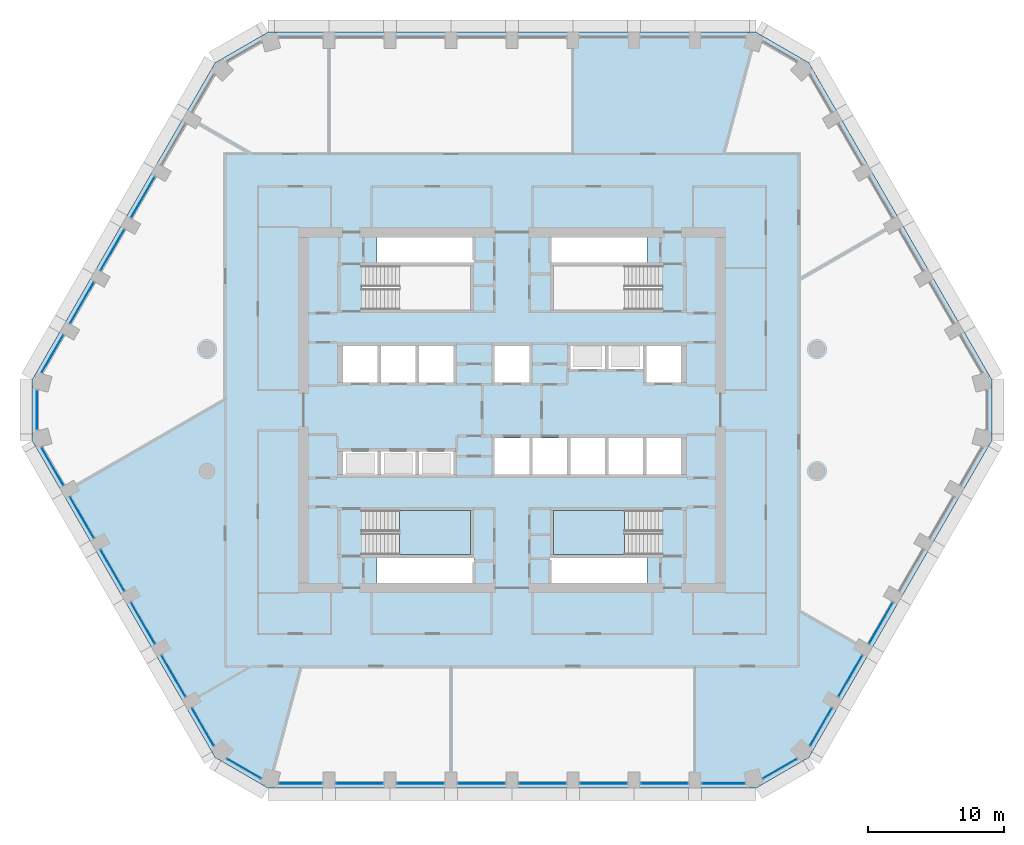
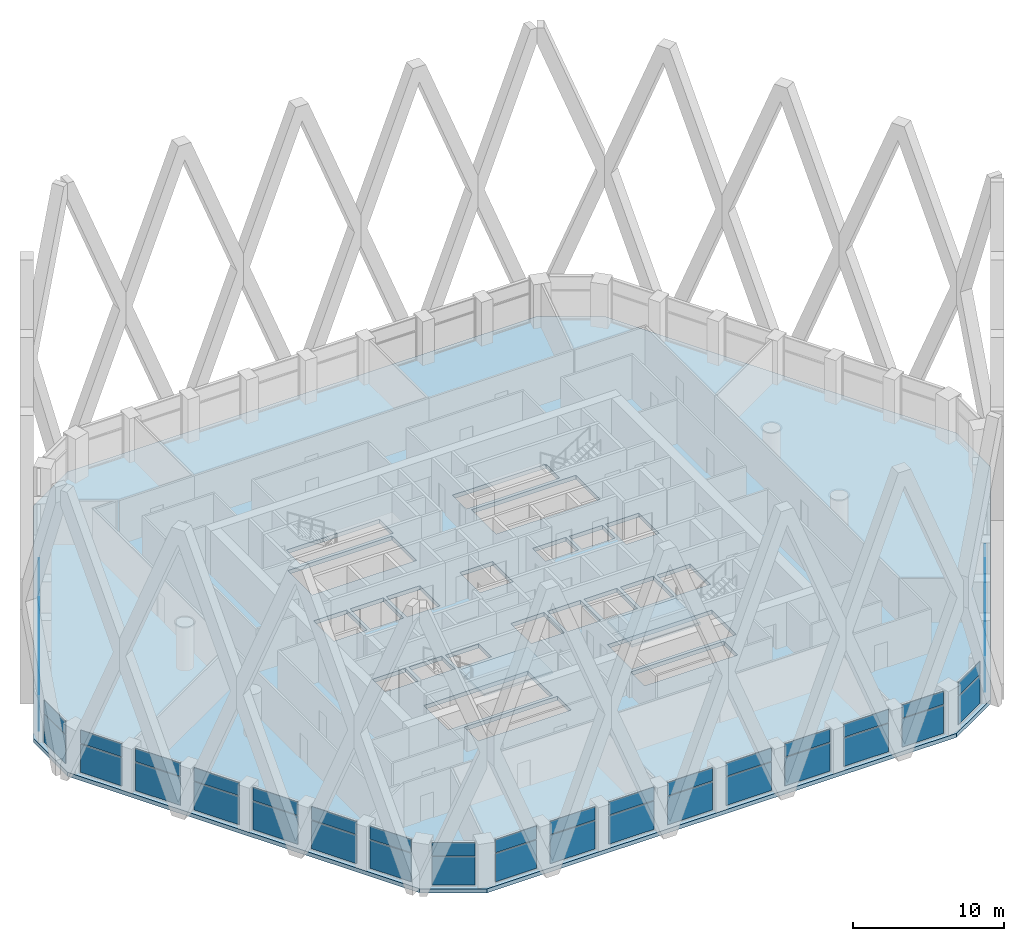
# One storey, part 7 of 24: 47 plates, 3 slabs, 26 elements without a shape of their own.
"""IFC4 building model written with IfcOpenShell, lengths in metres."""

from ifc_helpers import new_model, si_unit, direction, frame, origin, origin_2d, place, context, subcontext, project, spatial, polyline, rectangle, outline, extrude, material, layer, layer_set, type_object, element, aggregate, save


model = new_model("IFC4")

# Units and contexts
model_context = context("Model", 3, precision=1e-05, world=origin(), true_north=direction((0.0, 1.0)))
body_context = subcontext(model_context, "Body", "Model", "MODEL_VIEW")
ifc_project = project(units=[si_unit("LENGTHUNIT", "METRE"), si_unit("AREAUNIT", "SQUARE_METRE"), si_unit("VOLUMEUNIT", "CUBIC_METRE"), si_unit("PLANEANGLEUNIT", "RADIAN"), si_unit("MASSUNIT", "GRAM", prefix="KILO")], contexts=[model_context])

# Site, building, storey
site_placement = place(None, origin())
site = spatial("IfcSite", under=ifc_project, at=site_placement, CompositionType="ELEMENT")
building_placement = place(site_placement, origin())
building = spatial("IfcBuilding", under=site, at=building_placement, Name="Dhurran Vertical Campus", CompositionType="ELEMENT")
storey_placement = place(building_placement, frame((0.0, 0.0, 132.60009765625)))
storey = spatial("IfcBuildingStorey", under=building, at=storey_placement, Name="L32", CompositionType="ELEMENT", Elevation=132.60009765625)

# Slab
ifc_material_1 = material(Name="Concrete C40/50", Category="concrete")
ifc_layer_1 = layer(ifc_material_1, 0.324951171875)
ifc_layer_set_1 = layer_set([ifc_layer_1], Name="Concrete C40/50")
slab_type_1 = type_object("IfcSlabType", Name="FR POST-TENSIONED FLAT SLAB 325", PredefinedType="FLOOR", material=ifc_layer_set_1)
slab_1_placement = place(storey_placement, frame((0.0, 0.0, -0.3251953125)))
element("IfcSlab", 1, at=slab_1_placement, inside=storey, type_object=slab_type_1, Name="Floor slab L32", PredefinedType="FLOOR", context=body_context, shape_type="SweptSolid", body=[
    extrude(outline(polyline([(-18.0, -27.8828125), (18.0, -27.8828125), (21.897216796875, -25.6328125), (35.397216796875, -2.25), (35.397216796875, 2.25), (21.897216796875, 25.6328125), (18.0, 27.8828125), (-18.0, 27.8828125), (-21.897216796875, 25.6328125), (-35.397216796875, 2.25), (-35.397216796875, -2.25), (-21.897216796875, -25.6328125), (-18.0, -27.8828125)]), holes=[polyline([(-12.47509765625, 2.050048828125), (-9.925048828125, 2.050048828125), (-9.925048828125, 4.75), (-12.47509765625, 4.75), (-12.47509765625, 2.050048828125)]), polyline([(-9.675048828125, 2.050048828125), (-7.125, 2.050048828125), (-7.125, 4.75), (-9.675048828125, 4.75), (-9.675048828125, 2.050048828125)]), polyline([(-6.875, 2.050048828125), (-4.324951171875, 2.050048828125), (-4.324951171875, 4.75), (-6.875, 4.75), (-6.875, 2.050048828125)]), polyline([(-1.27490234375, 2.050048828125), (1.27490234375, 2.050048828125), (1.27490234375, 4.75), (-1.27490234375, 4.75), (-1.27490234375, 2.050048828125)]), polyline([(9.925048828125, 2.050048828125), (12.47509765625, 2.050048828125), (12.47509765625, 4.75), (9.925048828125, 4.75), (9.925048828125, 2.050048828125)]), polyline([(-1.27490234375, -4.75), (1.27490234375, -4.75), (1.27490234375, -2.050048828125), (-1.27490234375, -2.050048828125), (-1.27490234375, -4.75)]), polyline([(1.52490234375, -4.75), (4.074951171875, -4.75), (4.074951171875, -2.050048828125), (1.52490234375, -2.050048828125), (1.52490234375, -4.75)]), polyline([(4.324951171875, -4.75), (6.875, -4.75), (6.875, -2.050048828125), (4.324951171875, -2.050048828125), (4.324951171875, -4.75)]), polyline([(7.125, -4.75), (9.675048828125, -4.75), (9.675048828125, -2.050048828125), (7.125, -2.050048828125), (7.125, -4.75)]), polyline([(9.925048828125, -4.75), (12.47509765625, -4.75), (12.47509765625, -2.050048828125), (9.925048828125, -2.050048828125), (9.925048828125, -4.75)]), polyline([(4.324951171875, 3.050048828125), (6.875, 3.050048828125), (6.875, 4.75), (4.324951171875, 4.75), (4.324951171875, 3.050048828125)]), polyline([(7.125, 3.050048828125), (9.675048828125, 3.050048828125), (9.675048828125, 4.75), (7.125, 4.75), (7.125, 3.050048828125)]), polyline([(-12.47509765625, -4.75), (-9.925048828125, -4.75), (-9.925048828125, -3.050048828125), (-12.47509765625, -3.050048828125), (-12.47509765625, -4.75)]), polyline([(-9.675048828125, -4.75), (-7.125, -4.75), (-7.125, -3.050048828125), (-9.675048828125, -3.050048828125), (-9.675048828125, -4.75)]), polyline([(-6.875, -4.75), (-4.324951171875, -4.75), (-4.324951171875, -3.050048828125), (-6.875, -3.050048828125), (-6.875, -4.75)]), polyline([(-11.050048828125, 7.39990234375), (-3.050048828125, 7.39990234375), (-3.050048828125, 10.64990234375), (-11.050048828125, 10.64990234375), (-11.050048828125, 7.39990234375)]), polyline([(3.050048828125, 7.39990234375), (11.050048828125, 7.39990234375), (11.050048828125, 10.64990234375), (3.050048828125, 10.64990234375), (3.050048828125, 7.39990234375)]), polyline([(-11.050048828125, -10.64990234375), (-3.050048828125, -10.64990234375), (-3.050048828125, -7.39990234375), (-11.050048828125, -7.39990234375), (-11.050048828125, -10.64990234375)]), polyline([(3.050048828125, -10.64990234375), (11.050048828125, -10.64990234375), (11.050048828125, -7.39990234375), (3.050048828125, -7.39990234375), (3.050048828125, -10.64990234375)]), polyline([(-9.949951171875, 10.89990234375), (-9.949951171875, 12.75), (-2.800048828125, 12.75), (-2.800048828125, 10.89990234375), (-9.949951171875, 10.89990234375)]), polyline([(9.949951171875, 12.75), (9.949951171875, 10.89990234375), (2.800048828125, 10.89990234375), (2.800048828125, 12.75), (9.949951171875, 12.75)]), polyline([(-9.949951171875, -12.75), (-9.949951171875, -10.89990234375), (-2.800048828125, -10.89990234375), (-2.800048828125, -12.75), (-9.949951171875, -12.75)]), polyline([(9.949951171875, -10.89990234375), (9.949951171875, -12.75), (2.800048828125, -12.75), (2.800048828125, -10.89990234375), (9.949951171875, -10.89990234375)])]), origin(), (0.0, 0.0, 1.0), 0.3251953125),
])

# Curtain wall, plates
ifc_material_2 = material(Name="Aluminium frame with solar-control glass", Category="aluminium")
ifc_layer_2 = layer(ifc_material_2, 0.25)
ifc_layer_set_2 = layer_set([ifc_layer_2], Name="Aluminium frame with solar-control glass")
curtain_wall_type = type_object("IfcCurtainWallType", Name="Sky lobby glazing system", PredefinedType="NOTDEFINED", material=ifc_layer_set_2)
curtain_wall_1_placement = place(storey_placement, origin())
curtain_wall_1 = element("IfcCurtainWall", 2, at=curtain_wall_1_placement, inside=storey, type_object=curtain_wall_type, Name="CW3 L32.00", PredefinedType="NOTDEFINED")
ifc_material_3 = material(Name="Clear solar-control glass", Category="glass")
ifc_layer_3 = layer(ifc_material_3, 0.028076171875)
ifc_layer_set_3 = layer_set([ifc_layer_3], Name="Clear solar-control glass")
plate_type = type_object("IfcPlateType", Name="Sky lobby glazing system panel", PredefinedType="CURTAIN_PANEL", material=ifc_layer_set_3)
plate_1_placement = place(storey_placement, frame((-15.59765625, -27.53271484375, 0.06982421875), z_axis=(0.0, 0.0, 1.0), x_axis=(1.0, 0.0, 0.0)))
plate_1 = element("IfcPlate", 3, at=plate_1_placement, type_object=plate_type, Name="CW3 panel 1.1", PredefinedType="CURTAIN_PANEL", context=body_context, shape_type="SweptSolid", body=[
    extrude(rectangle(XDim=3.154052734375, YDim=0.028076171875, at=origin_2d()), origin(), (0.0, 0.0, 1.0), 2.294921875),
])
plate_2_placement = place(storey_placement, frame((-15.59765625, -27.53271484375, 2.43505859375), z_axis=(0.0, 0.0, 1.0), x_axis=(1.0, 0.0, 0.0)))
plate_2 = element("IfcPlate", 4, at=plate_2_placement, type_object=plate_type, Name="CW3 panel 1.2", PredefinedType="CURTAIN_PANEL", context=body_context, shape_type="SweptSolid", body=[
    extrude(rectangle(XDim=3.154052734375, YDim=0.028076171875, at=origin_2d()), origin(), (0.0, 0.0, 1.0), 1.070068359375),
])
aggregate(curtain_wall_1, [plate_1, plate_2])

curtain_wall_2_placement = place(storey_placement, origin())
curtain_wall_2 = element("IfcCurtainWall", 5, at=curtain_wall_2_placement, inside=storey, type_object=curtain_wall_type, Name="CW3 L32.01", PredefinedType="NOTDEFINED")
plate_3_placement = place(storey_placement, frame((-11.25, -27.53271484375, 0.06982421875), z_axis=(0.0, 0.0, 1.0), x_axis=(1.0, 0.0, 0.0)))
plate_3 = element("IfcPlate", 6, at=plate_3_placement, type_object=plate_type, Name="CW3 panel 1.1", PredefinedType="CURTAIN_PANEL", context=body_context, shape_type="SweptSolid", body=[
    extrude(rectangle(XDim=3.458984375, YDim=0.028076171875, at=origin_2d()), origin(), (0.0, 0.0, 1.0), 2.294921875),
])
plate_4_placement = place(storey_placement, frame((-11.25, -27.53271484375, 2.43505859375), z_axis=(0.0, 0.0, 1.0), x_axis=(1.0, 0.0, 0.0)))
plate_4 = element("IfcPlate", 7, at=plate_4_placement, type_object=plate_type, Name="CW3 panel 1.2", PredefinedType="CURTAIN_PANEL", context=body_context, shape_type="SweptSolid", body=[
    extrude(rectangle(XDim=3.458984375, YDim=0.028076171875, at=origin_2d()), origin(), (0.0, 0.0, 1.0), 1.070068359375),
])
aggregate(curtain_wall_2, [plate_3, plate_4])

curtain_wall_3_placement = place(storey_placement, origin())
curtain_wall_3 = element("IfcCurtainWall", 8, at=curtain_wall_3_placement, inside=storey, type_object=curtain_wall_type, Name="CW3 L32.02", PredefinedType="NOTDEFINED")
plate_5_placement = place(storey_placement, frame((-6.75, -27.53271484375, 0.06982421875), z_axis=(0.0, 0.0, 1.0), x_axis=(1.0, 0.0, 0.0)))
plate_5 = element("IfcPlate", 9, at=plate_5_placement, type_object=plate_type, Name="CW3 panel 1.1", PredefinedType="CURTAIN_PANEL", context=body_context, shape_type="SweptSolid", body=[
    extrude(rectangle(XDim=3.458984375, YDim=0.028076171875, at=origin_2d()), origin(), (0.0, 0.0, 1.0), 2.294921875),
])
plate_6_placement = place(storey_placement, frame((-6.75, -27.53271484375, 2.43505859375), z_axis=(0.0, 0.0, 1.0), x_axis=(1.0, 0.0, 0.0)))
plate_6 = element("IfcPlate", 10, at=plate_6_placement, type_object=plate_type, Name="CW3 panel 1.2", PredefinedType="CURTAIN_PANEL", context=body_context, shape_type="SweptSolid", body=[
    extrude(rectangle(XDim=3.458984375, YDim=0.028076171875, at=origin_2d()), origin(), (0.0, 0.0, 1.0), 1.070068359375),
])
aggregate(curtain_wall_3, [plate_5, plate_6])

curtain_wall_4_placement = place(storey_placement, origin())
curtain_wall_4 = element("IfcCurtainWall", 11, at=curtain_wall_4_placement, inside=storey, type_object=curtain_wall_type, Name="CW3 L32.03", PredefinedType="NOTDEFINED")
plate_7_placement = place(storey_placement, frame((-2.25, -27.53271484375, 0.06982421875), z_axis=(0.0, 0.0, 1.0), x_axis=(1.0, 0.0, 0.0)))
plate_7 = element("IfcPlate", 12, at=plate_7_placement, type_object=plate_type, Name="CW3 panel 1.1", PredefinedType="CURTAIN_PANEL", context=body_context, shape_type="SweptSolid", body=[
    extrude(rectangle(XDim=3.458984375, YDim=0.028076171875, at=origin_2d()), origin(), (0.0, 0.0, 1.0), 2.294921875),
])
plate_8_placement = place(storey_placement, frame((-2.25, -27.53271484375, 2.43505859375), z_axis=(0.0, 0.0, 1.0), x_axis=(1.0, 0.0, 0.0)))
plate_8 = element("IfcPlate", 13, at=plate_8_placement, type_object=plate_type, Name="CW3 panel 1.2", PredefinedType="CURTAIN_PANEL", context=body_context, shape_type="SweptSolid", body=[
    extrude(rectangle(XDim=3.458984375, YDim=0.028076171875, at=origin_2d()), origin(), (0.0, 0.0, 1.0), 1.070068359375),
])
aggregate(curtain_wall_4, [plate_7, plate_8])

curtain_wall_5_placement = place(storey_placement, origin())
curtain_wall_5 = element("IfcCurtainWall", 14, at=curtain_wall_5_placement, inside=storey, type_object=curtain_wall_type, Name="CW3 L32.04", PredefinedType="NOTDEFINED")
plate_9_placement = place(storey_placement, frame((2.25, -27.53271484375, 0.06982421875), z_axis=(0.0, 0.0, 1.0), x_axis=(1.0, 0.0, 0.0)))
plate_9 = element("IfcPlate", 15, at=plate_9_placement, type_object=plate_type, Name="CW3 panel 1.1", PredefinedType="CURTAIN_PANEL", context=body_context, shape_type="SweptSolid", body=[
    extrude(rectangle(XDim=3.458984375, YDim=0.028076171875, at=origin_2d()), origin(), (0.0, 0.0, 1.0), 2.294921875),
])
plate_10_placement = place(storey_placement, frame((2.25, -27.53271484375, 2.43505859375), z_axis=(0.0, 0.0, 1.0), x_axis=(1.0, 0.0, 0.0)))
plate_10 = element("IfcPlate", 16, at=plate_10_placement, type_object=plate_type, Name="CW3 panel 1.2", PredefinedType="CURTAIN_PANEL", context=body_context, shape_type="SweptSolid", body=[
    extrude(rectangle(XDim=3.458984375, YDim=0.028076171875, at=origin_2d()), origin(), (0.0, 0.0, 1.0), 1.070068359375),
])
aggregate(curtain_wall_5, [plate_9, plate_10])

curtain_wall_6_placement = place(storey_placement, origin())
curtain_wall_6 = element("IfcCurtainWall", 17, at=curtain_wall_6_placement, inside=storey, type_object=curtain_wall_type, Name="CW3 L32.05", PredefinedType="NOTDEFINED")
plate_11_placement = place(storey_placement, frame((6.75, -27.53271484375, 0.06982421875), z_axis=(0.0, 0.0, 1.0), x_axis=(1.0, 0.0, 0.0)))
plate_11 = element("IfcPlate", 18, at=plate_11_placement, type_object=plate_type, Name="CW3 panel 1.1", PredefinedType="CURTAIN_PANEL", context=body_context, shape_type="SweptSolid", body=[
    extrude(rectangle(XDim=3.458984375, YDim=0.028076171875, at=origin_2d()), origin(), (0.0, 0.0, 1.0), 2.294921875),
])
plate_12_placement = place(storey_placement, frame((6.75, -27.53271484375, 2.43505859375), z_axis=(0.0, 0.0, 1.0), x_axis=(1.0, 0.0, 0.0)))
plate_12 = element("IfcPlate", 19, at=plate_12_placement, type_object=plate_type, Name="CW3 panel 1.2", PredefinedType="CURTAIN_PANEL", context=body_context, shape_type="SweptSolid", body=[
    extrude(rectangle(XDim=3.458984375, YDim=0.028076171875, at=origin_2d()), origin(), (0.0, 0.0, 1.0), 1.070068359375),
])
aggregate(curtain_wall_6, [plate_11, plate_12])

curtain_wall_7_placement = place(storey_placement, origin())
curtain_wall_7 = element("IfcCurtainWall", 20, at=curtain_wall_7_placement, inside=storey, type_object=curtain_wall_type, Name="CW3 L32.06", PredefinedType="NOTDEFINED")
plate_13_placement = place(storey_placement, frame((11.25, -27.53271484375, 0.06982421875), z_axis=(0.0, 0.0, 1.0), x_axis=(1.0, 0.0, 0.0)))
plate_13 = element("IfcPlate", 21, at=plate_13_placement, type_object=plate_type, Name="CW3 panel 1.1", PredefinedType="CURTAIN_PANEL", context=body_context, shape_type="SweptSolid", body=[
    extrude(rectangle(XDim=3.458984375, YDim=0.028076171875, at=origin_2d()), origin(), (0.0, 0.0, 1.0), 2.294921875),
])
plate_14_placement = place(storey_placement, frame((11.25, -27.53271484375, 2.43505859375), z_axis=(0.0, 0.0, 1.0), x_axis=(1.0, 0.0, 0.0)))
plate_14 = element("IfcPlate", 22, at=plate_14_placement, type_object=plate_type, Name="CW3 panel 1.2", PredefinedType="CURTAIN_PANEL", context=body_context, shape_type="SweptSolid", body=[
    extrude(rectangle(XDim=3.458984375, YDim=0.028076171875, at=origin_2d()), origin(), (0.0, 0.0, 1.0), 1.070068359375),
])
aggregate(curtain_wall_7, [plate_13, plate_14])

curtain_wall_8_placement = place(storey_placement, origin())
curtain_wall_8 = element("IfcCurtainWall", 23, at=curtain_wall_8_placement, inside=storey, type_object=curtain_wall_type, Name="CW3 L32.07", PredefinedType="NOTDEFINED")
plate_15_placement = place(storey_placement, frame((15.59765625, -27.53271484375, 0.06982421875), z_axis=(0.0, 0.0, 1.0), x_axis=(1.0, 0.0, 0.0)))
plate_15 = element("IfcPlate", 24, at=plate_15_placement, type_object=plate_type, Name="CW3 panel 1.1", PredefinedType="CURTAIN_PANEL", context=body_context, shape_type="SweptSolid", body=[
    extrude(rectangle(XDim=3.154052734375, YDim=0.028076171875, at=origin_2d()), origin(), (0.0, 0.0, 1.0), 2.294921875),
])
plate_16_placement = place(storey_placement, frame((15.59765625, -27.53271484375, 2.43505859375), z_axis=(0.0, 0.0, 1.0), x_axis=(1.0, 0.0, 0.0)))
plate_16 = element("IfcPlate", 25, at=plate_16_placement, type_object=plate_type, Name="CW3 panel 1.2", PredefinedType="CURTAIN_PANEL", context=body_context, shape_type="SweptSolid", body=[
    extrude(rectangle(XDim=3.154052734375, YDim=0.028076171875, at=origin_2d()), origin(), (0.0, 0.0, 1.0), 1.070068359375),
])
aggregate(curtain_wall_8, [plate_15, plate_16])

curtain_wall_9_placement = place(storey_placement, origin())
curtain_wall_9 = element("IfcCurtainWall", 26, at=curtain_wall_9_placement, inside=storey, type_object=curtain_wall_type, Name="CW3 L32.08", PredefinedType="NOTDEFINED")
plate_17_placement = place(storey_placement, frame((19.7734375, -26.45458984375, 0.06982421875), z_axis=(0.0, 0.0, 1.0), x_axis=(0.866023468714, 0.500003351625, 0.0)))
plate_17 = element("IfcPlate", 27, at=plate_17_placement, type_object=plate_type, Name="CW3 panel 1.1", PredefinedType="CURTAIN_PANEL", context=body_context, shape_type="SweptSolid", body=[
    extrude(rectangle(XDim=2.84912109375, YDim=0.028076171875, at=origin_2d()), origin(), (0.0, 0.0, 1.0), 2.294921875),
])
plate_18_placement = place(storey_placement, frame((19.7734375, -26.45458984375, 2.43505859375), z_axis=(0.0, 0.0, 1.0), x_axis=(0.866023468714, 0.500003351625, 0.0)))
plate_18 = element("IfcPlate", 28, at=plate_18_placement, type_object=plate_type, Name="CW3 panel 1.2", PredefinedType="CURTAIN_PANEL", context=body_context, shape_type="SweptSolid", body=[
    extrude(rectangle(XDim=2.84912109375, YDim=0.028076171875, at=origin_2d()), origin(), (0.0, 0.0, 1.0), 1.070068359375),
])
aggregate(curtain_wall_9, [plate_17, plate_18])

curtain_wall_10_placement = place(storey_placement, origin())
curtain_wall_10 = element("IfcCurtainWall", 29, at=curtain_wall_10_placement, inside=storey, type_object=curtain_wall_type, Name="CW3 L32.09", PredefinedType="NOTDEFINED")
plate_19_placement = place(storey_placement, frame((22.79541015625, -23.376953125, 0.06982421875), z_axis=(0.0, 0.0, 1.0), x_axis=(0.499998380488, 0.866026338808, 0.0)))
plate_19 = element("IfcPlate", 30, at=plate_19_placement, type_object=plate_type, Name="CW3 panel 1.1", PredefinedType="CURTAIN_PANEL", context=body_context, shape_type="SweptSolid", body=[
    extrude(rectangle(XDim=3.154052734375, YDim=0.028076171875, at=origin_2d()), origin(), (0.0, 0.0, 1.0), 2.294921875),
])
plate_20_placement = place(storey_placement, frame((22.79541015625, -23.376953125, 2.43505859375), z_axis=(0.0, 0.0, 1.0), x_axis=(0.499998380488, 0.866026338808, 0.0)))
plate_20 = element("IfcPlate", 31, at=plate_20_placement, type_object=plate_type, Name="CW3 panel 1.2", PredefinedType="CURTAIN_PANEL", context=body_context, shape_type="SweptSolid", body=[
    extrude(rectangle(XDim=3.154052734375, YDim=0.028076171875, at=origin_2d()), origin(), (0.0, 0.0, 1.0), 1.070068359375),
])
aggregate(curtain_wall_10, [plate_19, plate_20])

curtain_wall_11_placement = place(storey_placement, origin())
curtain_wall_11 = element("IfcCurtainWall", 32, at=curtain_wall_11_placement, inside=storey, type_object=curtain_wall_type, Name="CW3 L32.10", PredefinedType="NOTDEFINED")
plate_21_placement = place(storey_placement, frame((24.968994140625, -19.612060546875, 0.06982421875), z_axis=(0.0, 0.0, 1.0), x_axis=(0.500003059408, 0.866023637427, 0.0)))
plate_21 = element("IfcPlate", 33, at=plate_21_placement, type_object=plate_type, Name="CW3 panel 1.1", PredefinedType="CURTAIN_PANEL", context=body_context, shape_type="SweptSolid", body=[
    extrude(rectangle(XDim=3.458984375, YDim=0.028076171875, at=origin_2d()), origin(), (0.0, 0.0, 1.0), 2.294921875),
])
plate_22_placement = place(storey_placement, frame((24.968994140625, -19.612060546875, 2.43505859375), z_axis=(0.0, 0.0, 1.0), x_axis=(0.500003059408, 0.866023637427, 0.0)))
plate_22 = element("IfcPlate", 34, at=plate_22_placement, type_object=plate_type, Name="CW3 panel 1.2", PredefinedType="CURTAIN_PANEL", context=body_context, shape_type="SweptSolid", body=[
    extrude(rectangle(XDim=3.458984375, YDim=0.028076171875, at=origin_2d()), origin(), (0.0, 0.0, 1.0), 1.070068359375),
])
aggregate(curtain_wall_11, [plate_21, plate_22])

curtain_wall_12_placement = place(storey_placement, origin())
curtain_wall_12 = element("IfcCurtainWall", 35, at=curtain_wall_12_placement, inside=storey, type_object=curtain_wall_type, Name="CW3 L32.11", PredefinedType="NOTDEFINED")
plate_23_placement = place(storey_placement, frame((27.218994140625, -15.71484375, 0.06982421875), z_axis=(0.0, 0.0, 1.0), x_axis=(0.500003059408, 0.866023637427, 0.0)))
plate_23 = element("IfcPlate", 36, at=plate_23_placement, type_object=plate_type, Name="CW3 panel 1.1", PredefinedType="CURTAIN_PANEL", context=body_context, shape_type="SweptSolid", body=[
    extrude(rectangle(XDim=3.458984375, YDim=0.028076171875, at=origin_2d()), origin(), (0.0, 0.0, 1.0), 2.294921875),
])
plate_24_placement = place(storey_placement, frame((27.218994140625, -15.71484375, 2.43505859375), z_axis=(0.0, 0.0, 1.0), x_axis=(0.500003059408, 0.866023637427, 0.0)))
plate_24 = element("IfcPlate", 37, at=plate_24_placement, type_object=plate_type, Name="CW3 panel 1.2", PredefinedType="CURTAIN_PANEL", context=body_context, shape_type="SweptSolid", body=[
    extrude(rectangle(XDim=3.458984375, YDim=0.028076171875, at=origin_2d()), origin(), (0.0, 0.0, 1.0), 1.070068359375),
])
aggregate(curtain_wall_12, [plate_23, plate_24])

# Curtain wall, plate
curtain_wall_13_placement = place(storey_placement, origin())
curtain_wall_13 = element("IfcCurtainWall", 38, at=curtain_wall_13_placement, inside=storey, type_object=curtain_wall_type, Name="CW3 L32.34", PredefinedType="NOTDEFINED")
plate_25_placement = place(storey_placement, frame((-27.218994140625, 15.71484375, 0.06982421875), z_axis=(0.0, 0.0, 1.0), x_axis=(-0.500003059408, -0.866023637427, 0.0)))
plate_25 = element("IfcPlate", 39, at=plate_25_placement, type_object=plate_type, Name="CW3 panel 1.1", PredefinedType="CURTAIN_PANEL", context=body_context, shape_type="SweptSolid", body=[
    extrude(rectangle(XDim=3.458984375, YDim=0.028076171875, at=origin_2d()), origin(), (0.0, 0.0, 1.0), 2.294921875),
])
aggregate(curtain_wall_13, [plate_25])

# Curtain wall, plates
curtain_wall_14_placement = place(storey_placement, origin())
curtain_wall_14 = element("IfcCurtainWall", 40, at=curtain_wall_14_placement, inside=storey, type_object=curtain_wall_type, Name="CW3 L32.35", PredefinedType="NOTDEFINED")
plate_26_placement = place(storey_placement, frame((-29.468994140625, 11.81787109375, 0.06982421875), z_axis=(0.0, 0.0, 1.0), x_axis=(-0.500003059408, -0.866023637427, 0.0)))
plate_26 = element("IfcPlate", 41, at=plate_26_placement, type_object=plate_type, Name="CW3 panel 1.1", PredefinedType="CURTAIN_PANEL", context=body_context, shape_type="SweptSolid", body=[
    extrude(rectangle(XDim=3.458984375, YDim=0.028076171875, at=origin_2d()), origin(), (0.0, 0.0, 1.0), 2.294921875),
])
plate_27_placement = place(storey_placement, frame((-29.468994140625, 11.81787109375, 2.43505859375), z_axis=(0.0, 0.0, 1.0), x_axis=(-0.500003059408, -0.866023637427, 0.0)))
plate_27 = element("IfcPlate", 42, at=plate_27_placement, type_object=plate_type, Name="CW3 panel 1.2", PredefinedType="CURTAIN_PANEL", context=body_context, shape_type="SweptSolid", body=[
    extrude(rectangle(XDim=3.458984375, YDim=0.028076171875, at=origin_2d()), origin(), (0.0, 0.0, 1.0), 1.070068359375),
])
aggregate(curtain_wall_14, [plate_26, plate_27])

curtain_wall_15_placement = place(storey_placement, origin())
curtain_wall_15 = element("IfcCurtainWall", 43, at=curtain_wall_15_placement, inside=storey, type_object=curtain_wall_type, Name="CW3 L32.36", PredefinedType="NOTDEFINED")
plate_28_placement = place(storey_placement, frame((-31.718994140625, 7.920654296875, 0.06982421875), z_axis=(0.0, 0.0, 1.0), x_axis=(-0.500003059408, -0.866023637427, 0.0)))
plate_28 = element("IfcPlate", 44, at=plate_28_placement, type_object=plate_type, Name="CW3 panel 1.1", PredefinedType="CURTAIN_PANEL", context=body_context, shape_type="SweptSolid", body=[
    extrude(rectangle(XDim=3.458984375, YDim=0.028076171875, at=origin_2d()), origin(), (0.0, 0.0, 1.0), 2.294921875),
])
plate_29_placement = place(storey_placement, frame((-31.718994140625, 7.920654296875, 2.43505859375), z_axis=(0.0, 0.0, 1.0), x_axis=(-0.500003059408, -0.866023637427, 0.0)))
plate_29 = element("IfcPlate", 45, at=plate_29_placement, type_object=plate_type, Name="CW3 panel 1.2", PredefinedType="CURTAIN_PANEL", context=body_context, shape_type="SweptSolid", body=[
    extrude(rectangle(XDim=3.458984375, YDim=0.028076171875, at=origin_2d()), origin(), (0.0, 0.0, 1.0), 1.070068359375),
])
aggregate(curtain_wall_15, [plate_28, plate_29])

curtain_wall_16_placement = place(storey_placement, origin())
curtain_wall_16 = element("IfcCurtainWall", 46, at=curtain_wall_16_placement, inside=storey, type_object=curtain_wall_type, Name="CW3 L32.37", PredefinedType="NOTDEFINED")
plate_30_placement = place(storey_placement, frame((-33.892822265625, 4.155517578125, 0.06982421875), z_axis=(0.0, 0.0, 1.0), x_axis=(-0.499985235344, -0.866033927995, 0.0)))
plate_30 = element("IfcPlate", 47, at=plate_30_placement, type_object=plate_type, Name="CW3 panel 1.1", PredefinedType="CURTAIN_PANEL", context=body_context, shape_type="SweptSolid", body=[
    extrude(rectangle(XDim=3.154052734375, YDim=0.028076171875, at=origin_2d()), origin(), (0.0, 0.0, 1.0), 2.294921875),
])
plate_31_placement = place(storey_placement, frame((-33.892822265625, 4.155517578125, 2.43505859375), z_axis=(0.0, 0.0, 1.0), x_axis=(-0.499985235344, -0.866033927995, 0.0)))
plate_31 = element("IfcPlate", 48, at=plate_31_placement, type_object=plate_type, Name="CW3 panel 1.2", PredefinedType="CURTAIN_PANEL", context=body_context, shape_type="SweptSolid", body=[
    extrude(rectangle(XDim=3.154052734375, YDim=0.028076171875, at=origin_2d()), origin(), (0.0, 0.0, 1.0), 1.070068359375),
])
aggregate(curtain_wall_16, [plate_30, plate_31])

curtain_wall_17_placement = place(storey_placement, origin())
curtain_wall_17 = element("IfcCurtainWall", 49, at=curtain_wall_17_placement, inside=storey, type_object=curtain_wall_type, Name="CW3 L32.38", PredefinedType="NOTDEFINED")
plate_32_placement = place(storey_placement, frame((-35.047119140625, 0.0, 0.06982421875), z_axis=(0.0, 0.0, 1.0), x_axis=(0.0, -1.0, 0.0)))
plate_32 = element("IfcPlate", 50, at=plate_32_placement, type_object=plate_type, Name="CW3 panel 1.1", PredefinedType="CURTAIN_PANEL", context=body_context, shape_type="SweptSolid", body=[
    extrude(rectangle(XDim=2.84912109375, YDim=0.028076171875, at=origin_2d()), origin(), (0.0, 0.0, 1.0), 2.294921875),
])
plate_33_placement = place(storey_placement, frame((-35.047119140625, 0.0, 2.43505859375), z_axis=(0.0, 0.0, 1.0), x_axis=(0.0, -1.0, 0.0)))
plate_33 = element("IfcPlate", 51, at=plate_33_placement, type_object=plate_type, Name="CW3 panel 1.2", PredefinedType="CURTAIN_PANEL", context=body_context, shape_type="SweptSolid", body=[
    extrude(rectangle(XDim=2.84912109375, YDim=0.028076171875, at=origin_2d()), origin(), (0.0, 0.0, 1.0), 1.070068359375),
])
aggregate(curtain_wall_17, [plate_32, plate_33])

curtain_wall_18_placement = place(storey_placement, origin())
curtain_wall_18 = element("IfcCurtainWall", 52, at=curtain_wall_18_placement, inside=storey, type_object=curtain_wall_type, Name="CW3 L32.39", PredefinedType="NOTDEFINED")
plate_34_placement = place(storey_placement, frame((-33.892822265625, -4.155517578125, 0.06982421875), z_axis=(0.0, 0.0, 1.0), x_axis=(0.499985235344, -0.866033927995, 0.0)))
plate_34 = element("IfcPlate", 53, at=plate_34_placement, type_object=plate_type, Name="CW3 panel 1.1", PredefinedType="CURTAIN_PANEL", context=body_context, shape_type="SweptSolid", body=[
    extrude(rectangle(XDim=3.154052734375, YDim=0.028076171875, at=origin_2d()), origin(), (0.0, 0.0, 1.0), 2.294921875),
])
plate_35_placement = place(storey_placement, frame((-33.892822265625, -4.155517578125, 2.43505859375), z_axis=(0.0, 0.0, 1.0), x_axis=(0.499985235344, -0.866033927995, 0.0)))
plate_35 = element("IfcPlate", 54, at=plate_35_placement, type_object=plate_type, Name="CW3 panel 1.2", PredefinedType="CURTAIN_PANEL", context=body_context, shape_type="SweptSolid", body=[
    extrude(rectangle(XDim=3.154052734375, YDim=0.028076171875, at=origin_2d()), origin(), (0.0, 0.0, 1.0), 1.070068359375),
])
aggregate(curtain_wall_18, [plate_34, plate_35])

curtain_wall_19_placement = place(storey_placement, origin())
curtain_wall_19 = element("IfcCurtainWall", 55, at=curtain_wall_19_placement, inside=storey, type_object=curtain_wall_type, Name="CW3 L32.40", PredefinedType="NOTDEFINED")
plate_36_placement = place(storey_placement, frame((-31.718994140625, -7.920654296875, 0.06982421875), z_axis=(0.0, 0.0, 1.0), x_axis=(0.500003059408, -0.866023637427, 0.0)))
plate_36 = element("IfcPlate", 56, at=plate_36_placement, type_object=plate_type, Name="CW3 panel 1.1", PredefinedType="CURTAIN_PANEL", context=body_context, shape_type="SweptSolid", body=[
    extrude(rectangle(XDim=3.458984375, YDim=0.028076171875, at=origin_2d()), origin(), (0.0, 0.0, 1.0), 2.294921875),
])
plate_37_placement = place(storey_placement, frame((-31.718994140625, -7.920654296875, 2.43505859375), z_axis=(0.0, 0.0, 1.0), x_axis=(0.500003059408, -0.866023637427, 0.0)))
plate_37 = element("IfcPlate", 57, at=plate_37_placement, type_object=plate_type, Name="CW3 panel 1.2", PredefinedType="CURTAIN_PANEL", context=body_context, shape_type="SweptSolid", body=[
    extrude(rectangle(XDim=3.458984375, YDim=0.028076171875, at=origin_2d()), origin(), (0.0, 0.0, 1.0), 1.070068359375),
])
aggregate(curtain_wall_19, [plate_36, plate_37])

curtain_wall_20_placement = place(storey_placement, origin())
curtain_wall_20 = element("IfcCurtainWall", 58, at=curtain_wall_20_placement, inside=storey, type_object=curtain_wall_type, Name="CW3 L32.41", PredefinedType="NOTDEFINED")
plate_38_placement = place(storey_placement, frame((-29.468994140625, -11.81787109375, 0.06982421875), z_axis=(0.0, 0.0, 1.0), x_axis=(0.500003059408, -0.866023637427, 0.0)))
plate_38 = element("IfcPlate", 59, at=plate_38_placement, type_object=plate_type, Name="CW3 panel 1.1", PredefinedType="CURTAIN_PANEL", context=body_context, shape_type="SweptSolid", body=[
    extrude(rectangle(XDim=3.458984375, YDim=0.028076171875, at=origin_2d()), origin(), (0.0, 0.0, 1.0), 2.294921875),
])
plate_39_placement = place(storey_placement, frame((-29.468994140625, -11.81787109375, 2.43505859375), z_axis=(0.0, 0.0, 1.0), x_axis=(0.500003059408, -0.866023637427, 0.0)))
plate_39 = element("IfcPlate", 60, at=plate_39_placement, type_object=plate_type, Name="CW3 panel 1.2", PredefinedType="CURTAIN_PANEL", context=body_context, shape_type="SweptSolid", body=[
    extrude(rectangle(XDim=3.458984375, YDim=0.028076171875, at=origin_2d()), origin(), (0.0, 0.0, 1.0), 1.070068359375),
])
aggregate(curtain_wall_20, [plate_38, plate_39])

curtain_wall_21_placement = place(storey_placement, origin())
curtain_wall_21 = element("IfcCurtainWall", 61, at=curtain_wall_21_placement, inside=storey, type_object=curtain_wall_type, Name="CW3 L32.42", PredefinedType="NOTDEFINED")
plate_40_placement = place(storey_placement, frame((-27.218994140625, -15.71484375, 0.06982421875), z_axis=(0.0, 0.0, 1.0), x_axis=(0.500003059408, -0.866023637427, 0.0)))
plate_40 = element("IfcPlate", 62, at=plate_40_placement, type_object=plate_type, Name="CW3 panel 1.1", PredefinedType="CURTAIN_PANEL", context=body_context, shape_type="SweptSolid", body=[
    extrude(rectangle(XDim=3.458984375, YDim=0.028076171875, at=origin_2d()), origin(), (0.0, 0.0, 1.0), 2.294921875),
])
plate_41_placement = place(storey_placement, frame((-27.218994140625, -15.71484375, 2.43505859375), z_axis=(0.0, 0.0, 1.0), x_axis=(0.500003059408, -0.866023637427, 0.0)))
plate_41 = element("IfcPlate", 63, at=plate_41_placement, type_object=plate_type, Name="CW3 panel 1.2", PredefinedType="CURTAIN_PANEL", context=body_context, shape_type="SweptSolid", body=[
    extrude(rectangle(XDim=3.458984375, YDim=0.028076171875, at=origin_2d()), origin(), (0.0, 0.0, 1.0), 1.070068359375),
])
aggregate(curtain_wall_21, [plate_40, plate_41])

curtain_wall_22_placement = place(storey_placement, origin())
curtain_wall_22 = element("IfcCurtainWall", 64, at=curtain_wall_22_placement, inside=storey, type_object=curtain_wall_type, Name="CW3 L32.43", PredefinedType="NOTDEFINED")
plate_42_placement = place(storey_placement, frame((-24.968994140625, -19.612060546875, 0.06982421875), z_axis=(0.0, 0.0, 1.0), x_axis=(0.500003059408, -0.866023637427, 0.0)))
plate_42 = element("IfcPlate", 65, at=plate_42_placement, type_object=plate_type, Name="CW3 panel 1.1", PredefinedType="CURTAIN_PANEL", context=body_context, shape_type="SweptSolid", body=[
    extrude(rectangle(XDim=3.458984375, YDim=0.028076171875, at=origin_2d()), origin(), (0.0, 0.0, 1.0), 2.294921875),
])
plate_43_placement = place(storey_placement, frame((-24.968994140625, -19.612060546875, 2.43505859375), z_axis=(0.0, 0.0, 1.0), x_axis=(0.500003059408, -0.866023637427, 0.0)))
plate_43 = element("IfcPlate", 66, at=plate_43_placement, type_object=plate_type, Name="CW3 panel 1.2", PredefinedType="CURTAIN_PANEL", context=body_context, shape_type="SweptSolid", body=[
    extrude(rectangle(XDim=3.458984375, YDim=0.028076171875, at=origin_2d()), origin(), (0.0, 0.0, 1.0), 1.070068359375),
])
aggregate(curtain_wall_22, [plate_42, plate_43])

curtain_wall_23_placement = place(storey_placement, origin())
curtain_wall_23 = element("IfcCurtainWall", 67, at=curtain_wall_23_placement, inside=storey, type_object=curtain_wall_type, Name="CW3 L32.44", PredefinedType="NOTDEFINED")
plate_44_placement = place(storey_placement, frame((-22.79541015625, -23.376953125, 0.06982421875), z_axis=(0.0, 0.0, 1.0), x_axis=(0.499998380488, -0.866026338808, 0.0)))
plate_44 = element("IfcPlate", 68, at=plate_44_placement, type_object=plate_type, Name="CW3 panel 1.1", PredefinedType="CURTAIN_PANEL", context=body_context, shape_type="SweptSolid", body=[
    extrude(rectangle(XDim=3.154052734375, YDim=0.028076171875, at=origin_2d()), origin(), (0.0, 0.0, 1.0), 2.294921875),
])
plate_45_placement = place(storey_placement, frame((-22.79541015625, -23.376953125, 2.43505859375), z_axis=(0.0, 0.0, 1.0), x_axis=(0.499998380488, -0.866026338808, 0.0)))
plate_45 = element("IfcPlate", 69, at=plate_45_placement, type_object=plate_type, Name="CW3 panel 1.2", PredefinedType="CURTAIN_PANEL", context=body_context, shape_type="SweptSolid", body=[
    extrude(rectangle(XDim=3.154052734375, YDim=0.028076171875, at=origin_2d()), origin(), (0.0, 0.0, 1.0), 1.070068359375),
])
aggregate(curtain_wall_23, [plate_44, plate_45])

curtain_wall_24_placement = place(storey_placement, origin())
curtain_wall_24 = element("IfcCurtainWall", 70, at=curtain_wall_24_placement, inside=storey, type_object=curtain_wall_type, Name="CW3 L32.45", PredefinedType="NOTDEFINED")
plate_46_placement = place(storey_placement, frame((-19.7734375, -26.45458984375, 0.06982421875), z_axis=(0.0, 0.0, 1.0), x_axis=(0.866023468714, -0.500003351625, 0.0)))
plate_46 = element("IfcPlate", 71, at=plate_46_placement, type_object=plate_type, Name="CW3 panel 1.1", PredefinedType="CURTAIN_PANEL", context=body_context, shape_type="SweptSolid", body=[
    extrude(rectangle(XDim=2.84912109375, YDim=0.028076171875, at=origin_2d()), origin(), (0.0, 0.0, 1.0), 2.294921875),
])
plate_47_placement = place(storey_placement, frame((-19.7734375, -26.45458984375, 2.43505859375), z_axis=(0.0, 0.0, 1.0), x_axis=(0.866023468714, -0.500003351625, 0.0)))
plate_47 = element("IfcPlate", 72, at=plate_47_placement, type_object=plate_type, Name="CW3 panel 1.2", PredefinedType="CURTAIN_PANEL", context=body_context, shape_type="SweptSolid", body=[
    extrude(rectangle(XDim=2.84912109375, YDim=0.028076171875, at=origin_2d()), origin(), (0.0, 0.0, 1.0), 1.070068359375),
])
aggregate(curtain_wall_24, [plate_46, plate_47])

# Stair, slab
ifc_material_4 = material(Name="Concrete C40/50", Category="concrete")
stair_type = type_object("IfcStairType", Name="co-ST-CORE", PredefinedType="HALF_TURN_STAIR", material=ifc_material_4)
stair_1_placement = place(storey_placement, origin())
stair_1 = element("IfcStair", 73, at=stair_1_placement, inside=storey, type_object=stair_type, Name="L32 Protected exit stair ST3", PredefinedType="HALF_TURN_STAIR")
ifc_material_5 = material(Name="Concrete C40/50", Category="concrete")
ifc_layer_4 = layer(ifc_material_5, 0.199951171875)
ifc_layer_set_4 = layer_set([ifc_layer_4], Name="Concrete C40/50")
slab_type_2 = type_object("IfcSlabType", Name="co-SL-LANDING", PredefinedType="LANDING", material=ifc_layer_set_4)
slab_2_placement = place(storey_placement, frame((0.0, 0.0, 1.75)))
slab_2 = element("IfcSlab", 74, at=slab_2_placement, type_object=slab_type_2, Name="ST3 landing 1", PredefinedType="LANDING", context=body_context, shape_type="SweptSolid", body=[
    extrude(outline(polyline([(-8.300048828125, -10.64990234375), (-3.050048828125, -10.64990234375), (-3.050048828125, -7.39990234375), (-8.300048828125, -7.39990234375), (-8.300048828125, -10.64990234375)])), origin(), (0.0, 0.0, 1.0), 0.199951171875),
])
aggregate(stair_1, [slab_2])

stair_2_placement = place(storey_placement, origin())
stair_2 = element("IfcStair", 75, at=stair_2_placement, inside=storey, type_object=stair_type, Name="L32 Protected exit stair ST4", PredefinedType="HALF_TURN_STAIR")
slab_3_placement = place(storey_placement, frame((0.0, 0.0, 1.75)))
slab_3 = element("IfcSlab", 76, at=slab_3_placement, type_object=slab_type_2, Name="ST4 landing 1", PredefinedType="LANDING", context=body_context, shape_type="SweptSolid", body=[
    extrude(outline(polyline([(8.300048828125, -7.39990234375), (3.050048828125, -7.39990234375), (3.050048828125, -10.64990234375), (8.300048828125, -10.64990234375), (8.300048828125, -7.39990234375)])), origin(), (0.0, 0.0, 1.0), 0.199951171875),
])
aggregate(stair_2, [slab_3])

save(model, "model.ifc")
